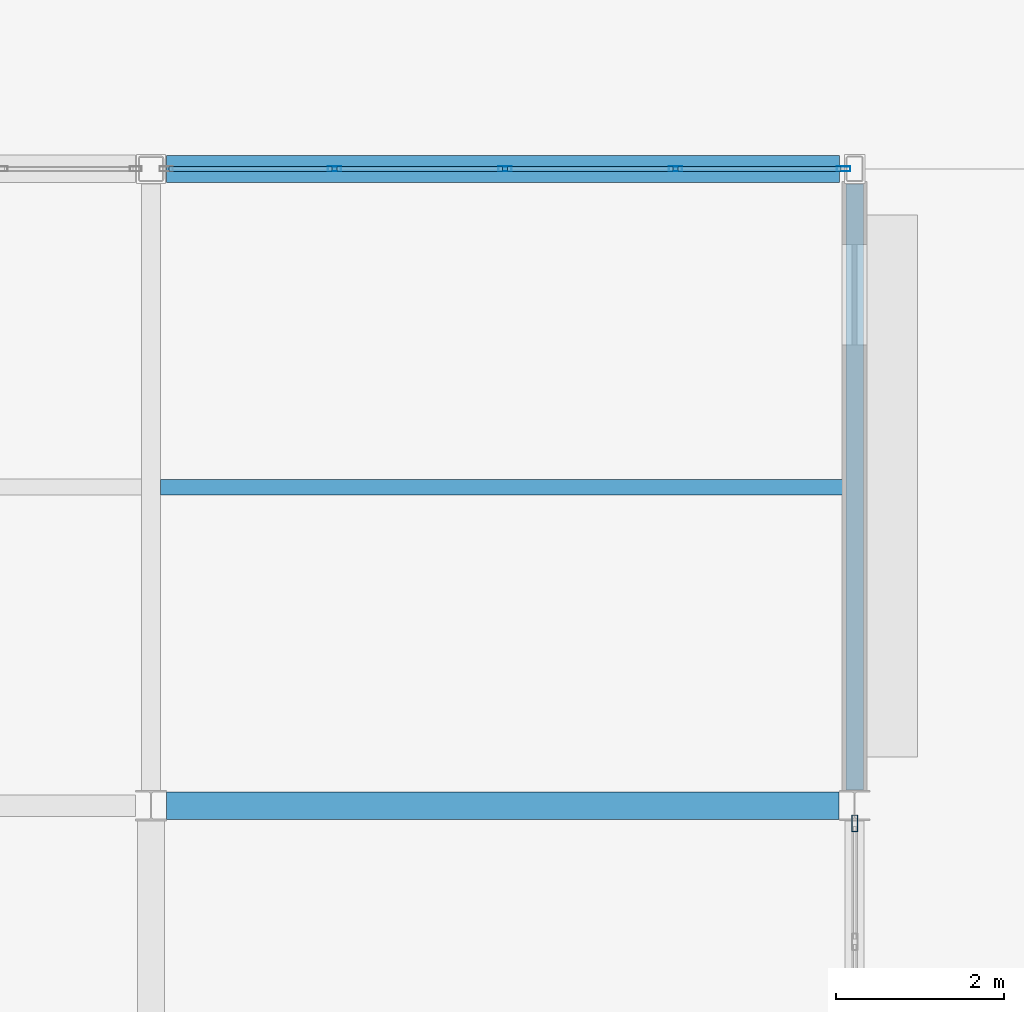
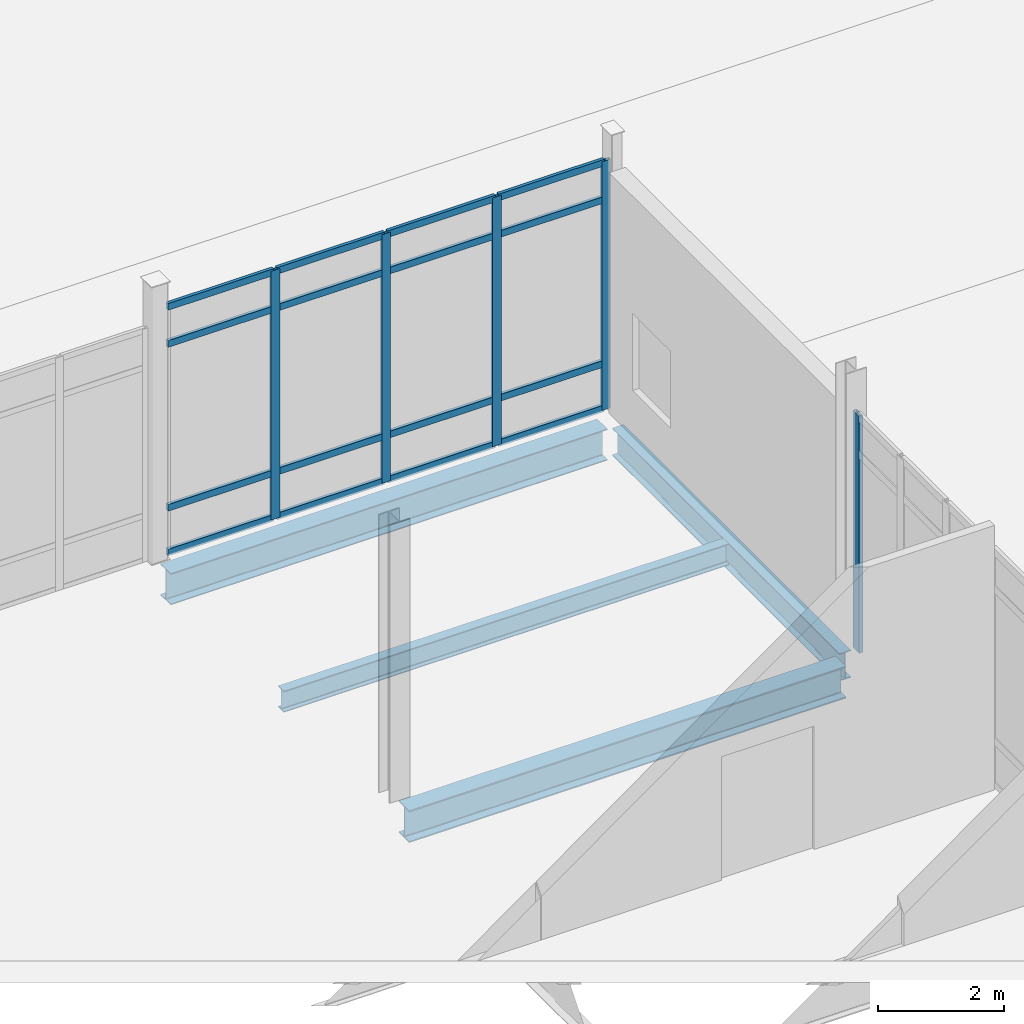
# One storey, part 77 of 229: 21 members, 4 beams, 2 elements without a shape of their own.
"""IFC4 building model written with IfcOpenShell, lengths in metres."""

from ifc_helpers import new_model, si_unit, direction, frame, origin, origin_2d, place, context, subcontext, project, spatial, hollow_rectangle, i_section, extrude, material, layer, layer_set, material_profile, profile_set, type_object, element, aggregate, save


model = new_model("IFC4")

# Units and contexts
model_context = context("Model", 3, precision=1e-05, world=origin(), true_north=direction((0.0, 1.0)))
body_context = subcontext(model_context, "Body", "Model", "MODEL_VIEW")
ifc_project = project(units=[si_unit("LENGTHUNIT", "METRE"), si_unit("AREAUNIT", "SQUARE_METRE"), si_unit("VOLUMEUNIT", "CUBIC_METRE"), si_unit("PLANEANGLEUNIT", "RADIAN"), si_unit("MASSUNIT", "GRAM", prefix="KILO")], contexts=[model_context])

# Site, building, storey
site_placement = place(None, origin())
site = spatial("IfcSite", under=ifc_project, at=site_placement, CompositionType="ELEMENT")
building_placement = place(site_placement, origin())
building = spatial("IfcBuilding", under=site, at=building_placement, Name="Calvrana Isthmian Art Gallery", CompositionType="ELEMENT")
storey_placement = place(building_placement, origin())
storey = spatial("IfcBuildingStorey", under=building, at=storey_placement, Name="L00", CompositionType="ELEMENT", Elevation=0.0)

# Beams
ifc_material_1 = material(Name="Steel ASTM A992 Gr 50", Category="steel")
ifc_material_profile_1 = material_profile(ifc_material_1, i_section(OverallWidth=0.208984375, OverallDepth=0.532958984375, WebThickness=0.01025390625, FlangeThickness=0.015625, FilletRadius=0.02099609375, at=origin_2d()), Name="W21X62")
ifc_profile_set_1 = profile_set([ifc_material_profile_1], Name="Steel ASTM A992 Gr 50")
beam_type_1 = type_object("IfcBeamType", Name="BM-G-W21X62", PredefinedType="BEAM", material=ifc_profile_set_1)
beam_1_placement = place(storey_placement, frame((38.39990234375, 62.1865234375, -0.551513671875), z_axis=(0.0, 1.0, 0.0), x_axis=(-1.0, 0.0, 0.0)))
element("IfcBeam", 1, at=beam_1_placement, inside=storey, type_object=beam_type_1, Name="Girder Y L00 06/I-J", PredefinedType="BEAM", context=body_context, shape_type="SweptSolid", body=[
    extrude(i_section(OverallWidth=0.208984375, OverallDepth=0.532958984375, WebThickness=0.01025390625, FlangeThickness=0.015625, FilletRadius=0.02099609375, at=origin_2d()), origin(), (0.0, 0.0, 1.0), 7.235595703125),
])
ifc_material_profile_2 = material_profile(ifc_material_1, i_section(OverallWidth=0.324951171875, OverallDepth=0.612060546875, WebThickness=0.0126953125, FlangeThickness=0.01904296875, FilletRadius=0.02197265625, at=origin_2d()), Name="W24X104")
ifc_profile_set_2 = profile_set([ifc_material_profile_2], Name="Steel ASTM A992 Gr 50")
beam_type_2 = type_object("IfcBeamType", Name="BM-G-W24X104", PredefinedType="BEAM", material=ifc_profile_set_2)
beam_2_placement = place(storey_placement, frame((30.185546875, 69.60009765625, -0.591064453125), z_axis=(1.0, 0.0, 0.0), x_axis=(0.0, 1.0, 0.0)))
element("IfcBeam", 2, at=beam_2_placement, inside=storey, type_object=beam_type_2, Name="Girder X L00 05-06/J", PredefinedType="BEAM", context=body_context, shape_type="SweptSolid", body=[
    extrude(i_section(OverallWidth=0.324951171875, OverallDepth=0.612060546875, WebThickness=0.0126953125, FlangeThickness=0.01904296875, FilletRadius=0.02197265625, at=origin_2d()), origin(), (0.0, 0.0, 1.0), 8.030517578125),
])
ifc_material_profile_3 = material_profile(ifc_material_1, i_section(OverallWidth=0.327880859375, OverallDepth=0.6220703125, WebThickness=0.015380859375, FlangeThickness=0.0244140625, FilletRadius=0.02197265625, at=origin_2d()), Name="W24X131")
ifc_profile_set_3 = profile_set([ifc_material_profile_3], Name="Steel ASTM A992 Gr 50")
beam_type_3 = type_object("IfcBeamType", Name="BM-G-W24X131", PredefinedType="BEAM", material=ifc_profile_set_3)
beam_3_placement = place(storey_placement, frame((30.18408203125, 62.0, -0.595947265625), z_axis=(1.0, 0.0, 0.0), x_axis=(0.0, 1.0, 0.0)))
element("IfcBeam", 3, at=beam_3_placement, inside=storey, type_object=beam_type_3, Name="Girder X L00 05-06/I", PredefinedType="BEAM", context=body_context, shape_type="SweptSolid", body=[
    extrude(i_section(OverallWidth=0.327880859375, OverallDepth=0.6220703125, WebThickness=0.015380859375, FlangeThickness=0.0244140625, FilletRadius=0.02197265625, at=origin_2d()), origin(), (0.0, 0.0, 1.0), 8.029296875),
])
ifc_material_profile_4 = material_profile(ifc_material_1, i_section(OverallWidth=0.179931640625, OverallDepth=0.4140625, WebThickness=0.009765625, FlangeThickness=0.01611328125, FilletRadius=0.01806640625, at=origin_2d()), Name="W16X50")
ifc_profile_set_4 = profile_set([ifc_material_profile_4], Name="Steel ASTM A992 Gr 50")
beam_type_4 = type_object("IfcBeamType", Name="BM-J-W16X50", PredefinedType="JOIST", material=ifc_profile_set_4)
beam_4_placement = place(storey_placement, frame((30.114013671875, 65.800048828125, -0.491943359375), z_axis=(1.0, 0.0, 0.0), x_axis=(0.0, 1.0, 0.0)))
element("IfcBeam", 4, at=beam_4_placement, inside=storey, type_object=beam_type_4, Name="Composite joist L00 bay 04-08", PredefinedType="JOIST", context=body_context, shape_type="SweptSolid", body=[
    extrude(i_section(OverallWidth=0.179931640625, OverallDepth=0.4140625, WebThickness=0.009765625, FlangeThickness=0.01611328125, FilletRadius=0.01806640625, at=origin_2d()), origin(), (0.0, 0.0, 1.0), 8.181396484375),
])

# Curtain wall, members
ifc_material_2 = material(Name="Anodized bronze aluminium 6063-T6", Category="aluminium")
ifc_layer_1 = layer(ifc_material_2, 0.179931640625, Name="Anodized bronze aluminium 6063-T6")
ifc_layer_set_1 = layer_set([ifc_layer_1], Name="Anodized bronze aluminium 6063-T6")
curtain_wall_type_1 = type_object("IfcCurtainWallType", Name="CW-STICK-081X48", PredefinedType="NOTDEFINED", material=ifc_layer_set_1)
curtain_wall_1_placement = place(storey_placement, origin())
curtain_wall_1 = element("IfcCurtainWall", 5, at=curtain_wall_1_placement, inside=storey, type_object=curtain_wall_type_1, Name="Curtain wall CW-031", PredefinedType="NOTDEFINED")
ifc_material_profile_5 = material_profile(ifc_material_2, hollow_rectangle(XDim=0.06005859375, YDim=0.159912109375, WallThickness=0.00390625, at=origin_2d()), Name="CWM60X160")
ifc_profile_set_5 = profile_set([ifc_material_profile_5], Name="Anodized bronze aluminium 6063-T6")
member_type_1 = type_object("IfcMemberType", Name="CWM-CWM60X160", PredefinedType="MULLION", material=ifc_profile_set_5)
member_1_placement = place(storey_placement, frame((32.18896484375, 69.60009765625, 0.0), z_axis=(0.0, 0.0, 1.0), x_axis=(0.0, 1.0, 0.0)))
member_1 = element("IfcMember", 6, at=member_1_placement, type_object=member_type_1, Name="CW-031 mullion 2", PredefinedType="MULLION", context=body_context, shape_type="SweptSolid", body=[
    extrude(hollow_rectangle(XDim=0.06005859375, YDim=0.159912109375, WallThickness=0.00390625, at=origin_2d()), origin(), (0.0, 0.0, 1.0), 4.835205078125),
])
member_2_placement = place(storey_placement, frame((34.225341796875, 69.60009765625, 0.0), z_axis=(0.0, 0.0, 1.0), x_axis=(0.0, 1.0, 0.0)))
member_2 = element("IfcMember", 7, at=member_2_placement, type_object=member_type_1, Name="CW-031 mullion 3", PredefinedType="MULLION", context=body_context, shape_type="SweptSolid", body=[
    extrude(hollow_rectangle(XDim=0.06005859375, YDim=0.159912109375, WallThickness=0.00390625, at=origin_2d()), origin(), (0.0, 0.0, 1.0), 4.835205078125),
])
member_3_placement = place(storey_placement, frame((36.261962890625, 69.60009765625, 0.0), z_axis=(0.0, 0.0, 1.0), x_axis=(0.0, 1.0, 0.0)))
member_3 = element("IfcMember", 8, at=member_3_placement, type_object=member_type_1, Name="CW-031 mullion 4", PredefinedType="MULLION", context=body_context, shape_type="SweptSolid", body=[
    extrude(hollow_rectangle(XDim=0.06005859375, YDim=0.159912109375, WallThickness=0.00390625, at=origin_2d()), origin(), (0.0, 0.0, 1.0), 4.835205078125),
])
member_4_placement = place(storey_placement, frame((38.268310546875, 69.60009765625, 0.0), z_axis=(0.0, 0.0, 1.0), x_axis=(0.0, 1.0, 0.0)))
member_4 = element("IfcMember", 9, at=member_4_placement, type_object=member_type_1, Name="CW-031 mullion 5", PredefinedType="MULLION", context=body_context, shape_type="SweptSolid", body=[
    extrude(hollow_rectangle(XDim=0.06005859375, YDim=0.159912109375, WallThickness=0.00390625, at=origin_2d()), origin(), (0.0, 0.0, 1.0), 4.835205078125),
])

# Curtain wall, member
ifc_layer_2 = layer(ifc_material_2, 0.179931640625, Name="Anodized bronze aluminium 6063-T6")
ifc_layer_set_2 = layer_set([ifc_layer_2], Name="Anodized bronze aluminium 6063-T6")
curtain_wall_type_2 = type_object("IfcCurtainWallType", Name="CW-UNIT-072X46", PredefinedType="USERDEFINED", material=ifc_layer_set_2)
curtain_wall_2_placement = place(storey_placement, origin())
curtain_wall_2 = element("IfcCurtainWall", 10, at=curtain_wall_2_placement, inside=storey, type_object=curtain_wall_type_2, Name="Curtain wall CW-057", ObjectType="UNITISED CURTAIN WALL", PredefinedType="USERDEFINED")
ifc_material_profile_6 = material_profile(ifc_material_2, hollow_rectangle(XDim=0.070068359375, YDim=0.199951171875, WallThickness=0.0048828125, at=origin_2d()), Name="CWM70X200")
ifc_profile_set_6 = profile_set([ifc_material_profile_6], Name="Anodized bronze aluminium 6063-T6")
member_type_2 = type_object("IfcMemberType", Name="CWM-CWM70X200", PredefinedType="MULLION", material=ifc_profile_set_6)
member_5_placement = place(storey_placement, frame((38.39990234375, 61.787109375, 0.0), z_axis=(0.0, 0.0, 1.0), x_axis=(1.0, 0.0, 0.0)))
member_5 = element("IfcMember", 11, at=member_5_placement, type_object=member_type_2, Name="CW-057 mullion 1", PredefinedType="MULLION", context=body_context, shape_type="SweptSolid", body=[
    extrude(hollow_rectangle(XDim=0.070068359375, YDim=0.199951171875, WallThickness=0.0048828125, at=origin_2d()), origin(), (0.0, 0.0, 1.0), 4.60693359375),
])
aggregate(curtain_wall_2, [member_5])

# Member
ifc_material_profile_7 = material_profile(ifc_material_2, hollow_rectangle(XDim=0.06005859375, YDim=0.1298828125, WallThickness=0.00390625, at=origin_2d()), Name="CWT60X130")
ifc_profile_set_7 = profile_set([ifc_material_profile_7], Name="Anodized bronze aluminium 6063-T6")
member_type_3 = type_object("IfcMemberType", Name="CWT-CWT60X130", PredefinedType="USERDEFINED", material=ifc_profile_set_7)
member_6_placement = place(storey_placement, frame((30.21240234375, 69.60009765625, 0.030029296875), z_axis=(1.0, 0.0, 0.0), x_axis=(0.0, 1.0, 0.0)))
member_6 = element("IfcMember", 12, at=member_6_placement, type_object=member_type_3, Name="CW-031 transom 1.1", ObjectType="TRANSOM", PredefinedType="USERDEFINED", context=body_context, shape_type="SweptSolid", body=[
    extrude(hollow_rectangle(XDim=0.06005859375, YDim=0.1298828125, WallThickness=0.00390625, at=origin_2d()), origin(), (0.0, 0.0, 1.0), 1.946533203125),
])

member_7_placement = place(storey_placement, frame((30.21240234375, 69.60009765625, 0.89990234375), z_axis=(1.0, 0.0, 0.0), x_axis=(0.0, 1.0, 0.0)))
member_7 = element("IfcMember", 13, at=member_7_placement, type_object=member_type_3, Name="CW-031 transom 1.2", ObjectType="TRANSOM", PredefinedType="USERDEFINED", context=body_context, shape_type="SweptSolid", body=[
    extrude(hollow_rectangle(XDim=0.06005859375, YDim=0.1298828125, WallThickness=0.00390625, at=origin_2d()), origin(), (0.0, 0.0, 1.0), 1.946533203125),
])

member_8_placement = place(storey_placement, frame((30.21240234375, 69.60009765625, 4.085205078125), z_axis=(1.0, 0.0, 0.0), x_axis=(0.0, 1.0, 0.0)))
member_8 = element("IfcMember", 14, at=member_8_placement, type_object=member_type_3, Name="CW-031 transom 1.3", ObjectType="TRANSOM", PredefinedType="USERDEFINED", context=body_context, shape_type="SweptSolid", body=[
    extrude(hollow_rectangle(XDim=0.06005859375, YDim=0.1298828125, WallThickness=0.00390625, at=origin_2d()), origin(), (0.0, 0.0, 1.0), 1.946533203125),
])

member_9_placement = place(storey_placement, frame((30.21240234375, 69.60009765625, 4.80517578125), z_axis=(1.0, 0.0, 0.0), x_axis=(0.0, 1.0, 0.0)))
member_9 = element("IfcMember", 15, at=member_9_placement, type_object=member_type_3, Name="CW-031 transom 1.4", ObjectType="TRANSOM", PredefinedType="USERDEFINED", context=body_context, shape_type="SweptSolid", body=[
    extrude(hollow_rectangle(XDim=0.06005859375, YDim=0.1298828125, WallThickness=0.00390625, at=origin_2d()), origin(), (0.0, 0.0, 1.0), 1.946533203125),
])

member_10_placement = place(storey_placement, frame((32.218994140625, 69.60009765625, 0.030029296875), z_axis=(1.0, 0.0, 0.0), x_axis=(0.0, 1.0, 0.0)))
member_10 = element("IfcMember", 16, at=member_10_placement, type_object=member_type_3, Name="CW-031 transom 2.1", ObjectType="TRANSOM", PredefinedType="USERDEFINED", context=body_context, shape_type="SweptSolid", body=[
    extrude(hollow_rectangle(XDim=0.06005859375, YDim=0.1298828125, WallThickness=0.00390625, at=origin_2d()), origin(), (0.0, 0.0, 1.0), 1.976318359375),
])

member_11_placement = place(storey_placement, frame((32.218994140625, 69.60009765625, 0.89990234375), z_axis=(1.0, 0.0, 0.0), x_axis=(0.0, 1.0, 0.0)))
member_11 = element("IfcMember", 17, at=member_11_placement, type_object=member_type_3, Name="CW-031 transom 2.2", ObjectType="TRANSOM", PredefinedType="USERDEFINED", context=body_context, shape_type="SweptSolid", body=[
    extrude(hollow_rectangle(XDim=0.06005859375, YDim=0.1298828125, WallThickness=0.00390625, at=origin_2d()), origin(), (0.0, 0.0, 1.0), 1.976318359375),
])

member_12_placement = place(storey_placement, frame((32.218994140625, 69.60009765625, 4.085205078125), z_axis=(1.0, 0.0, 0.0), x_axis=(0.0, 1.0, 0.0)))
member_12 = element("IfcMember", 18, at=member_12_placement, type_object=member_type_3, Name="CW-031 transom 2.3", ObjectType="TRANSOM", PredefinedType="USERDEFINED", context=body_context, shape_type="SweptSolid", body=[
    extrude(hollow_rectangle(XDim=0.06005859375, YDim=0.1298828125, WallThickness=0.00390625, at=origin_2d()), origin(), (0.0, 0.0, 1.0), 1.976318359375),
])

member_13_placement = place(storey_placement, frame((32.218994140625, 69.60009765625, 4.80517578125), z_axis=(1.0, 0.0, 0.0), x_axis=(0.0, 1.0, 0.0)))
member_13 = element("IfcMember", 19, at=member_13_placement, type_object=member_type_3, Name="CW-031 transom 2.4", ObjectType="TRANSOM", PredefinedType="USERDEFINED", context=body_context, shape_type="SweptSolid", body=[
    extrude(hollow_rectangle(XDim=0.06005859375, YDim=0.1298828125, WallThickness=0.00390625, at=origin_2d()), origin(), (0.0, 0.0, 1.0), 1.976318359375),
])

member_14_placement = place(storey_placement, frame((34.25537109375, 69.60009765625, 0.030029296875), z_axis=(1.0, 0.0, 0.0), x_axis=(0.0, 1.0, 0.0)))
member_14 = element("IfcMember", 20, at=member_14_placement, type_object=member_type_3, Name="CW-031 transom 3.1", ObjectType="TRANSOM", PredefinedType="USERDEFINED", context=body_context, shape_type="SweptSolid", body=[
    extrude(hollow_rectangle(XDim=0.06005859375, YDim=0.1298828125, WallThickness=0.00390625, at=origin_2d()), origin(), (0.0, 0.0, 1.0), 1.9765625),
])

member_15_placement = place(storey_placement, frame((34.25537109375, 69.60009765625, 0.89990234375), z_axis=(1.0, 0.0, 0.0), x_axis=(0.0, 1.0, 0.0)))
member_15 = element("IfcMember", 21, at=member_15_placement, type_object=member_type_3, Name="CW-031 transom 3.2", ObjectType="TRANSOM", PredefinedType="USERDEFINED", context=body_context, shape_type="SweptSolid", body=[
    extrude(hollow_rectangle(XDim=0.06005859375, YDim=0.1298828125, WallThickness=0.00390625, at=origin_2d()), origin(), (0.0, 0.0, 1.0), 1.9765625),
])

member_16_placement = place(storey_placement, frame((34.25537109375, 69.60009765625, 4.085205078125), z_axis=(1.0, 0.0, 0.0), x_axis=(0.0, 1.0, 0.0)))
member_16 = element("IfcMember", 22, at=member_16_placement, type_object=member_type_3, Name="CW-031 transom 3.3", ObjectType="TRANSOM", PredefinedType="USERDEFINED", context=body_context, shape_type="SweptSolid", body=[
    extrude(hollow_rectangle(XDim=0.06005859375, YDim=0.1298828125, WallThickness=0.00390625, at=origin_2d()), origin(), (0.0, 0.0, 1.0), 1.9765625),
])

member_17_placement = place(storey_placement, frame((34.25537109375, 69.60009765625, 4.80517578125), z_axis=(1.0, 0.0, 0.0), x_axis=(0.0, 1.0, 0.0)))
member_17 = element("IfcMember", 23, at=member_17_placement, type_object=member_type_3, Name="CW-031 transom 3.4", ObjectType="TRANSOM", PredefinedType="USERDEFINED", context=body_context, shape_type="SweptSolid", body=[
    extrude(hollow_rectangle(XDim=0.06005859375, YDim=0.1298828125, WallThickness=0.00390625, at=origin_2d()), origin(), (0.0, 0.0, 1.0), 1.9765625),
])

member_18_placement = place(storey_placement, frame((36.2919921875, 69.60009765625, 0.030029296875), z_axis=(1.0, 0.0, 0.0), x_axis=(0.0, 1.0, 0.0)))
member_18 = element("IfcMember", 24, at=member_18_placement, type_object=member_type_3, Name="CW-031 transom 4.1", ObjectType="TRANSOM", PredefinedType="USERDEFINED", context=body_context, shape_type="SweptSolid", body=[
    extrude(hollow_rectangle(XDim=0.06005859375, YDim=0.1298828125, WallThickness=0.00390625, at=origin_2d()), origin(), (0.0, 0.0, 1.0), 1.9462890625),
])

member_19_placement = place(storey_placement, frame((36.2919921875, 69.60009765625, 0.89990234375), z_axis=(1.0, 0.0, 0.0), x_axis=(0.0, 1.0, 0.0)))
member_19 = element("IfcMember", 25, at=member_19_placement, type_object=member_type_3, Name="CW-031 transom 4.2", ObjectType="TRANSOM", PredefinedType="USERDEFINED", context=body_context, shape_type="SweptSolid", body=[
    extrude(hollow_rectangle(XDim=0.06005859375, YDim=0.1298828125, WallThickness=0.00390625, at=origin_2d()), origin(), (0.0, 0.0, 1.0), 1.9462890625),
])

member_20_placement = place(storey_placement, frame((36.2919921875, 69.60009765625, 4.085205078125), z_axis=(1.0, 0.0, 0.0), x_axis=(0.0, 1.0, 0.0)))
member_20 = element("IfcMember", 26, at=member_20_placement, type_object=member_type_3, Name="CW-031 transom 4.3", ObjectType="TRANSOM", PredefinedType="USERDEFINED", context=body_context, shape_type="SweptSolid", body=[
    extrude(hollow_rectangle(XDim=0.06005859375, YDim=0.1298828125, WallThickness=0.00390625, at=origin_2d()), origin(), (0.0, 0.0, 1.0), 1.9462890625),
])

member_21_placement = place(storey_placement, frame((36.2919921875, 69.60009765625, 4.80517578125), z_axis=(1.0, 0.0, 0.0), x_axis=(0.0, 1.0, 0.0)))
member_21 = element("IfcMember", 27, at=member_21_placement, type_object=member_type_3, Name="CW-031 transom 4.4", ObjectType="TRANSOM", PredefinedType="USERDEFINED", context=body_context, shape_type="SweptSolid", body=[
    extrude(hollow_rectangle(XDim=0.06005859375, YDim=0.1298828125, WallThickness=0.00390625, at=origin_2d()), origin(), (0.0, 0.0, 1.0), 1.9462890625),
])

aggregate(curtain_wall_1, [member_1, member_2, member_3, member_4, member_6, member_7, member_8, member_9, member_10, member_11, member_12, member_13, member_14, member_15, member_16, member_17, member_18, member_19, member_20, member_21])

save(model, "model.ifc")
